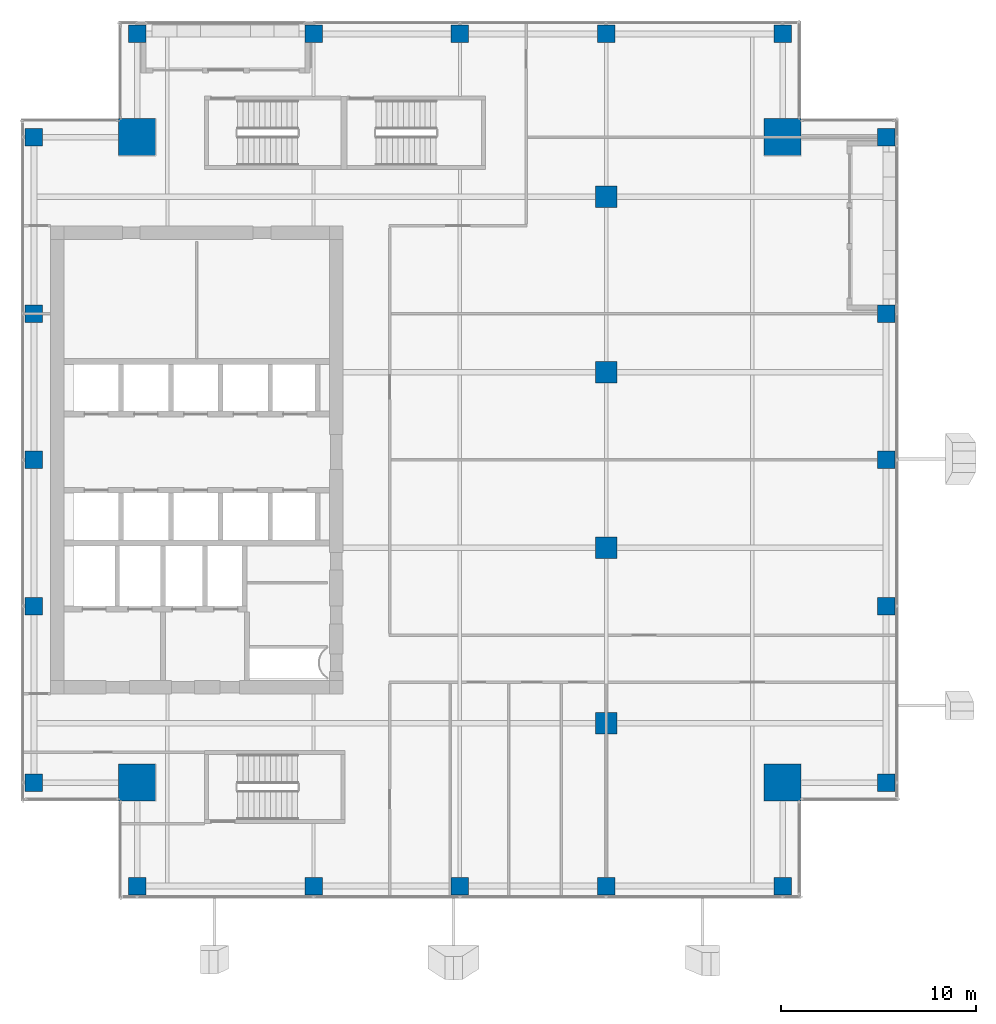
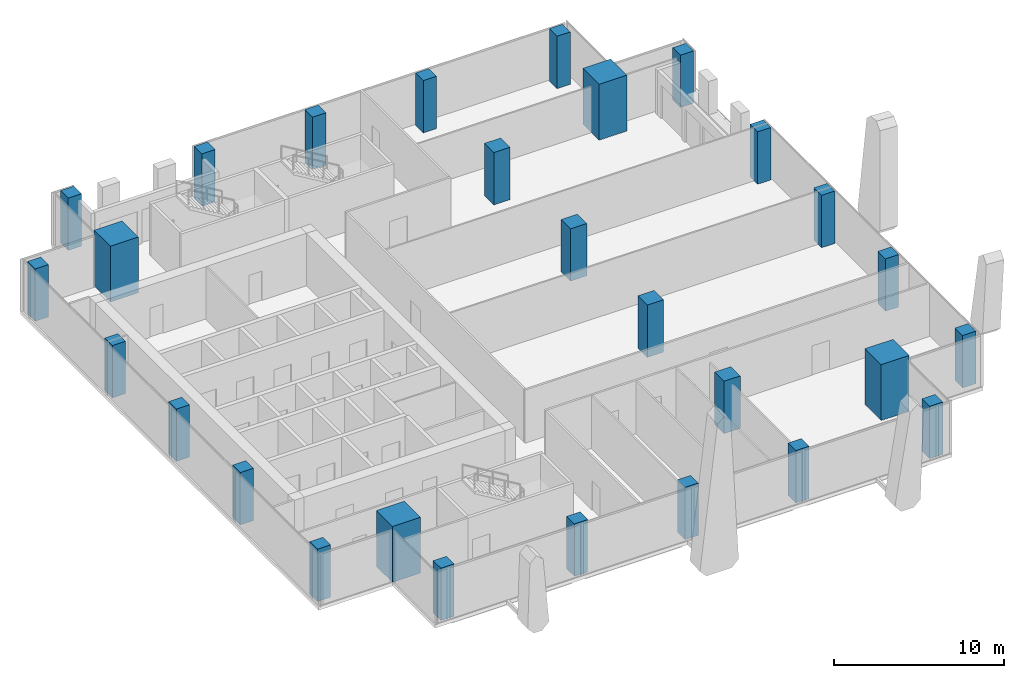
# One storey, part 1 of 35: 28 columns.
"""IFC4 building model written with IfcOpenShell, lengths in metres."""

import ifcopenshell
import ifcopenshell.guid

model = None  # the IFC model being written
_history = None  # IfcOwnerHistory: only IFC2X3 demands one
_inside = {}  # id of a spatial element -> (the spatial element, [elements in it])
_under = {}  # id of a project, library or spatial element -> (it, [spatial elements below it])
_declared = {}  # id of a project -> (the project, [libraries it declares])
_typed = {}  # id of a type object -> (the type object, [elements of that type])
_made_of = {}  # id of a material, layer set ... -> (it, [elements and type objects made of it])


def new_model(schema):
    """Start an empty IFC model of exactly this schema.

    Asked for "IFC4X3", IfcOpenShell would pick the latest addendum, in which some entities
    have other attributes; the version numbers below select the first issue.
    IFC2X3 requires an IfcOwnerHistory on every rooted entity: one is made here for all.
    """
    global model, _history
    if schema == "IFC4X3":
        model = ifcopenshell.file(schema_version=(4, 3, 0, 0))
    else:
        model = ifcopenshell.file(schema=schema)
    _inside.clear()
    _under.clear()
    _declared.clear()
    _typed.clear()
    _made_of.clear()
    _history = None
    if model.schema == "IFC2X3":
        org = make("IfcOrganization", Name="unknown")
        user = make(
            "IfcPersonAndOrganization",
            ThePerson=make("IfcPerson", FamilyName="unknown"),
            TheOrganization=org,
        )
        app = make(
            "IfcApplication",
            ApplicationDeveloper=org,
            Version="unknown",
            ApplicationFullName="unknown",
            ApplicationIdentifier="unknown",
        )
        _history = make(
            "IfcOwnerHistory",
            OwningUser=user,
            OwningApplication=app,
            ChangeAction="ADDED",
            CreationDate=0,
        )
    return model


def make(cls, **values):
    """One entity of the class cls with the attributes given. An attribute that is None is left unset."""
    return model.create_entity(
        cls, **{name: value for name, value in values.items() if value is not None}
    )


def rooted(cls, **values):
    """An entity with a GlobalId (a new one), such as an element, a storey or a relation."""
    return make(cls, GlobalId=ifcopenshell.guid.new(), OwnerHistory=_history, **values)


def si_unit(unit_type, name, prefix=None):
    """IfcSIUnit, for example si_unit("LENGTHUNIT", "METRE", prefix="MILLI")."""
    return make("IfcSIUnit", UnitType=unit_type, Prefix=prefix, Name=name)


def assignment(units):
    """IfcUnitAssignment: the units of a project."""
    return None if units is None else make("IfcUnitAssignment", Units=units)


def point(xyz):
    """IfcCartesianPoint."""
    return None if xyz is None else make("IfcCartesianPoint", Coordinates=xyz)


def direction(xyz):
    """IfcDirection."""
    return None if xyz is None else make("IfcDirection", DirectionRatios=xyz)


def frame(location, z_axis=None, x_axis=None):
    """IfcAxis2Placement3D, a coordinate frame: its origin and axes. An axis left out is left unset."""
    return make(
        "IfcAxis2Placement3D",
        Location=point(location),
        Axis=direction(z_axis),
        RefDirection=direction(x_axis),
    )


def frame_2d(location, x_axis=None):
    """IfcAxis2Placement2D, a coordinate frame in the plane: its origin and x axis."""
    return make(
        "IfcAxis2Placement2D", Location=point(location), RefDirection=direction(x_axis)
    )


def origin():
    """The frame at (0, 0, 0) with its axes left unset."""
    return frame((0.0, 0.0, 0.0))


def origin_2d():
    """The frame at (0, 0) in the plane with its x axis left unset."""
    return frame_2d((0.0, 0.0))


def place(relative_to, where):
    """IfcLocalPlacement: puts the frame where relative to a parent placement (None: the world)."""
    return make(
        "IfcLocalPlacement", PlacementRelTo=relative_to, RelativePlacement=where
    )


def context(
    kind, dimensions, precision=None, world=None, true_north=None, identifier=None
):
    """IfcGeometricRepresentationContext, for example the 3D "Model" context."""
    return make(
        "IfcGeometricRepresentationContext",
        ContextIdentifier=identifier,
        ContextType=kind,
        CoordinateSpaceDimension=dimensions,
        Precision=precision,
        WorldCoordinateSystem=world,
        TrueNorth=true_north,
    )


def subcontext(parent, identifier, kind, view, scale=None):
    """IfcGeometricRepresentationSubContext, for example "Body" below "Model"."""
    return make(
        "IfcGeometricRepresentationSubContext",
        ContextIdentifier=identifier,
        ContextType=kind,
        ParentContext=parent,
        TargetScale=scale,
        TargetView=view,
    )


def project(units=None, contexts=None):
    """IfcProject with its units and contexts."""
    return rooted(
        "IfcProject",
        Name="project",
        RepresentationContexts=contexts,
        UnitsInContext=assignment(units),
    )


def spatial(cls, under=None, at=None, **own):
    """A site, building, storey or space (cls), placed at a placement, below another one or the project."""
    s = rooted(cls, ObjectPlacement=at, **own)
    if under is not None:
        _under.setdefault(under.id(), (under, []))[1].append(s)
    return s


def profile(cls, at=None, kind="AREA", **sizes):
    """A parametric profile (cls). Its sizes go by their IFC names, for example OverallWidth=200.0."""
    return make(cls, ProfileType=kind, Position=at, **sizes)


def rectangle(**sizes):
    """IfcRectangleProfileDef."""
    return profile("IfcRectangleProfileDef", **sizes)


def extrude(swept, where, along, depth):
    """IfcExtrudedAreaSolid: the profile swept, set in the frame where, extruded along a direction by depth."""
    return make(
        "IfcExtrudedAreaSolid",
        SweptArea=swept,
        Position=where,
        ExtrudedDirection=direction(along),
        Depth=depth,
    )


def shape(context_of_items, identifier, shape_type, items):
    """IfcShapeRepresentation: the items that make up one representation, for example the "Body"."""
    return make(
        "IfcShapeRepresentation",
        ContextOfItems=context_of_items,
        RepresentationIdentifier=identifier,
        RepresentationType=shape_type,
        Items=items,
    )


def source(mapping_origin, context_of_items, identifier, shape_type, items):
    """IfcRepresentationMap: a shape defined once, which mapped items show again and again."""
    return make(
        "IfcRepresentationMap",
        MappingOrigin=mapping_origin,
        MappedRepresentation=shape(context_of_items, identifier, shape_type, items),
    )


def transform(
    local_origin,
    x_axis=None,
    y_axis=None,
    z_axis=None,
    scale=None,
    scale2=None,
    scale3=None,
    uniform=True,
):
    """IfcCartesianTransformationOperator3D, or its non-uniform kind. x_axis, y_axis, z_axis: its Axis1, 2, 3."""
    if uniform:
        return make(
            "IfcCartesianTransformationOperator3D",
            Axis1=direction(x_axis),
            Axis2=direction(y_axis),
            LocalOrigin=point(local_origin),
            Scale=scale,
            Axis3=direction(z_axis),
        )
    return make(
        "IfcCartesianTransformationOperator3DnonUniform",
        Axis1=direction(x_axis),
        Axis2=direction(y_axis),
        LocalOrigin=point(local_origin),
        Scale=scale,
        Axis3=direction(z_axis),
        Scale2=scale2,
        Scale3=scale3,
    )


def mapped(mapping_source, mapping_target):
    """IfcMappedItem: shows the shape of a source again, moved by a transform."""
    return make(
        "IfcMappedItem", MappingSource=mapping_source, MappingTarget=mapping_target
    )


def material(Name=None, Category=None):
    """IfcMaterial."""
    return make("IfcMaterial", Name=Name, Category=Category)


def material_profile(
    of_material, cross_section, Name=None, Category=None, Priority=None
):
    """IfcMaterialProfile: a cross section and its material."""
    return make(
        "IfcMaterialProfile",
        Name=Name,
        Material=of_material,
        Profile=cross_section,
        Priority=Priority,
        Category=Category,
    )


def profile_set(profiles, Name=None, composite=None):
    """IfcMaterialProfileSet."""
    return make(
        "IfcMaterialProfileSet",
        Name=Name,
        MaterialProfiles=profiles,
        CompositeProfile=composite,
    )


def made_of(thing, what):
    """Note that an element or type object is made of a material, layer set ...; save() writes the relation."""
    if what is not None:
        _made_of.setdefault(what.id(), (what, []))[1].append(thing)
    return thing


def type_object(cls, material=None, **own):
    """A type object (cls), such as IfcWallType, which elements share."""
    return made_of(rooted(cls, **own), material)


def element(
    cls,
    number,
    at=None,
    inside=None,
    cuts=None,
    type_object=None,
    material=None,
    context=None,
    identifier="Body",
    shape_type=None,
    held_by="IfcProductDefinitionShape",
    body=None,
    shapes=None,
    **own,
):
    """One element of the class cls, such as IfcWall. Its Tag is "e" and its number.

    at: its placement. inside: the storey or other place that contains it. cuts: it is an
    opening in that element (IfcRelVoidsElement). A single representation is given by context,
    identifier, shape_type and body (its items); several are given by shapes. held_by: the class
    of the entity that holds the representations. save() writes the other relations.
    """
    e = rooted(cls, Tag="e%d" % number, ObjectPlacement=at, **own)
    if body is not None:
        shapes = [shape(context, identifier, shape_type, body)]
    if shapes is not None:
        e.Representation = make(held_by, Representations=shapes)
    if inside is not None:
        _inside.setdefault(inside.id(), (inside, []))[1].append(e)
    if cuts is not None:
        rooted(
            "IfcRelVoidsElement", RelatingBuildingElement=cuts, RelatedOpeningElement=e
        )
    if type_object is not None:
        _typed.setdefault(type_object.id(), (type_object, []))[1].append(e)
    return made_of(e, material)


def aggregate(whole, parts):
    """IfcRelAggregates: a whole, such as a stair, and the parts it consists of."""
    return rooted("IfcRelAggregates", RelatingObject=whole, RelatedObjects=parts)


def save(model, path):
    """Write the relations noted so far, then the file.

    IfcRelAggregates (storeys below a building ...), IfcRelContainedInSpatialStructure (elements
    in a storey), IfcRelDefinesByType, IfcRelAssociatesMaterial and IfcRelDeclares: one each for
    every whole, place, type object, material and project.
    """
    for whole, parts in _under.values():
        aggregate(whole, parts)
    for where, things in _inside.values():
        rooted(
            "IfcRelContainedInSpatialStructure",
            RelatedElements=things,
            RelatingStructure=where,
        )
    for kind, things in _typed.values():
        rooted("IfcRelDefinesByType", RelatedObjects=things, RelatingType=kind)
    for what, things in _made_of.values():
        rooted("IfcRelAssociatesMaterial", RelatedObjects=things, RelatingMaterial=what)
    for by, libraries in _declared.values():
        rooted("IfcRelDeclares", RelatingContext=by, RelatedDefinitions=libraries)
    model.write(path)


model = new_model("IFC4")

# Units and contexts
model_context = context("Model", 3, precision=1e-05, world=origin(), true_north=direction((0.0, 1.0)))
body_context = subcontext(model_context, "Body", "Model", "MODEL_VIEW")
ifc_project = project(units=[si_unit("LENGTHUNIT", "METRE"), si_unit("AREAUNIT", "SQUARE_METRE"), si_unit("VOLUMEUNIT", "CUBIC_METRE"), si_unit("PLANEANGLEUNIT", "RADIAN"), si_unit("MASSUNIT", "GRAM", prefix="KILO")], contexts=[model_context])

# Site, building, storey
site_placement = place(None, origin())
site = spatial("IfcSite", under=ifc_project, at=site_placement, CompositionType="ELEMENT")
building_placement = place(site_placement, origin())
building = spatial("IfcBuilding", under=site, at=building_placement, Name="Khomas Fold Tower", CompositionType="ELEMENT")
storey_placement = place(building_placement, frame((0.0, 0.0, 250.199951171875)))
storey = spatial("IfcBuildingStorey", under=building, at=storey_placement, Name="L56", CompositionType="ELEMENT", Elevation=250.199951171875)

# Columns
ifc_material_1 = material(Name="Concrete C60/75", Category="concrete")
ifc_material_profile_1 = material_profile(ifc_material_1, rectangle(XDim=1.89990234375, YDim=1.89990234375, at=origin_2d()), Name="RC 1900x1900")
ifc_profile_set_1 = profile_set([ifc_material_profile_1], Name="Concrete C60/75")
column_type_1 = type_object("IfcColumnType", Name="RC 1900x1900 column", PredefinedType="COLUMN", material=ifc_profile_set_1)
shared_shape_1 = source(origin(), body_context, "Body", "SweptSolid", [
    extrude(rectangle(XDim=1.89990234375, YDim=1.89990234375, at=origin_2d()), origin(), (0.0, 0.0, 1.0), 4.0),
])
for number, where, z_axis, x_axis, name in (
    (1, (43.550048828125, 43.550048828125, 0.0), (0.0, 0.0, 1.0), (1.0, 0.0, 0.0), "CM-NE"),
    (2, (10.449951171875, 43.550048828125, 0.0), (0.0, 0.0, 1.0), (1.0, 0.0, 0.0), "CM-NW"),
    (3, (43.550048828125, 10.449951171875, 0.0), (0.0, 0.0, 1.0), (1.0, 0.0, 0.0), "CM-SE"),
    (4, (10.449951171875, 10.449951171875, 0.0), (0.0, 0.0, 1.0), (1.0, 0.0, 0.0), "CM-SW"),
):
    element("IfcColumn", number, at=place(storey_placement, frame(where, z_axis=z_axis, x_axis=x_axis)), inside=storey, type_object=column_type_1, Name=name, PredefinedType="COLUMN", context=body_context, shape_type="MappedRepresentation", body=[
        mapped(shared_shape_1, transform((0.0, 0.0, 0.0))),
    ])
ifc_material_2 = material(Name="Concrete C50/60", Category="concrete")
ifc_material_profile_2 = material_profile(ifc_material_2, rectangle(XDim=0.89990234375, YDim=0.89990234375, at=origin_2d()), Name="RC 900x900")
ifc_profile_set_2 = profile_set([ifc_material_profile_2], Name="Concrete C50/60")
column_type_2 = type_object("IfcColumnType", Name="RC 900x900 column", PredefinedType="COLUMN", material=ifc_profile_set_2)
shared_shape_2 = source(origin(), body_context, "Body", "SweptSolid", [
    extrude(rectangle(XDim=0.89990234375, YDim=0.89990234375, at=origin_2d()), origin(), (0.0, 0.0, 1.0), 3.75),
])
for number, where, z_axis, x_axis, name in (
    (5, (10.449951171875, 5.14990234375, 0.0), (0.0, 0.0, 1.0), (1.0, 0.0, 0.0), "C-5-SF4"),
    (6, (19.5, 5.14990234375, 0.0), (0.0, 0.0, 1.0), (1.0, 0.0, 0.0), "C-8-SF4"),
    (7, (27.0, 5.14990234375, 0.0), (0.0, 0.0, 1.0), (1.0, 0.0, 0.0), "C-9-SF4"),
    (8, (34.5, 5.14990234375, 0.0), (0.0, 0.0, 1.0), (1.0, 0.0, 0.0), "C-10-SF4"),
    (9, (43.550048828125, 5.14990234375, 0.0), (0.0, 0.0, 1.0), (1.0, 0.0, 0.0), "C-14-SF4"),
    (10, (48.85009765625, 10.449951171875, 0.0), (0.0, 0.0, 1.0), (1.0, 0.0, 0.0), "C-E4-E"),
    (11, (48.85009765625, 19.5, 0.0), (0.0, 0.0, 1.0), (1.0, 0.0, 0.0), "C-E4-J"),
    (12, (48.85009765625, 27.0, 0.0), (0.0, 0.0, 1.0), (1.0, 0.0, 0.0), "C-E4-L"),
    (13, (48.85009765625, 34.5, 0.0), (0.0, 0.0, 1.0), (1.0, 0.0, 0.0), "C-E4-N"),
    (14, (48.85009765625, 43.550048828125, 0.0), (0.0, 0.0, 1.0), (1.0, 0.0, 0.0), "C-E4-S"),
    (15, (10.449951171875, 48.85009765625, 0.0), (0.0, 0.0, 1.0), (1.0, 0.0, 0.0), "C-5-NF4"),
    (16, (19.5, 48.85009765625, 0.0), (0.0, 0.0, 1.0), (1.0, 0.0, 0.0), "C-8-NF4"),
    (17, (27.0, 48.85009765625, 0.0), (0.0, 0.0, 1.0), (1.0, 0.0, 0.0), "C-9-NF4"),
    (18, (34.5, 48.85009765625, 0.0), (0.0, 0.0, 1.0), (1.0, 0.0, 0.0), "C-10-NF4"),
    (19, (43.550048828125, 48.85009765625, 0.0), (0.0, 0.0, 1.0), (1.0, 0.0, 0.0), "C-14-NF4"),
    (20, (5.14990234375, 10.449951171875, 0.0), (0.0, 0.0, 1.0), (1.0, 0.0, 0.0), "C-W4-E"),
    (21, (5.14990234375, 19.5, 0.0), (0.0, 0.0, 1.0), (1.0, 0.0, 0.0), "C-W4-J"),
    (22, (5.14990234375, 27.0, 0.0), (0.0, 0.0, 1.0), (1.0, 0.0, 0.0), "C-W4-L"),
    (23, (5.14990234375, 34.5, 0.0), (0.0, 0.0, 1.0), (1.0, 0.0, 0.0), "C-W4-N"),
    (24, (5.14990234375, 43.550048828125, 0.0), (0.0, 0.0, 1.0), (1.0, 0.0, 0.0), "C-W4-S"),
):
    element("IfcColumn", number, at=place(storey_placement, frame(where, z_axis=z_axis, x_axis=x_axis)), inside=storey, type_object=column_type_2, Name=name, PredefinedType="COLUMN", context=body_context, shape_type="MappedRepresentation", body=[
        mapped(shared_shape_2, transform((0.0, 0.0, 0.0))),
    ])
ifc_material_3 = material(Name="Concrete C50/60", Category="concrete")
ifc_material_profile_3 = material_profile(ifc_material_3, rectangle(XDim=1.10009765625, YDim=1.10009765625, at=origin_2d()), Name="RC 1100x1100")
ifc_profile_set_3 = profile_set([ifc_material_profile_3], Name="Concrete C50/60")
column_type_3 = type_object("IfcColumnType", Name="RC 1100x1100 column", PredefinedType="COLUMN", material=ifc_profile_set_3)
shared_shape_3 = source(origin(), body_context, "Body", "SweptSolid", [
    extrude(rectangle(XDim=1.10009765625, YDim=1.10009765625, at=origin_2d()), origin(), (0.0, 0.0, 1.0), 3.75),
])
for number, where, z_axis, x_axis, name in (
    (25, (34.5, 13.5, 0.0), (0.0, 0.0, 1.0), (1.0, 0.0, 0.0), "C-10-H"),
    (26, (34.5, 22.5, 0.0), (0.0, 0.0, 1.0), (1.0, 0.0, 0.0), "C-10-K"),
    (27, (34.5, 31.5, 0.0), (0.0, 0.0, 1.0), (1.0, 0.0, 0.0), "C-10-M"),
    (28, (34.5, 40.5, 0.0), (0.0, 0.0, 1.0), (1.0, 0.0, 0.0), "C-10-P"),
):
    element("IfcColumn", number, at=place(storey_placement, frame(where, z_axis=z_axis, x_axis=x_axis)), inside=storey, type_object=column_type_3, Name=name, PredefinedType="COLUMN", context=body_context, shape_type="MappedRepresentation", body=[
        mapped(shared_shape_3, transform((0.0, 0.0, 0.0))),
    ])

save(model, "model.ifc")
